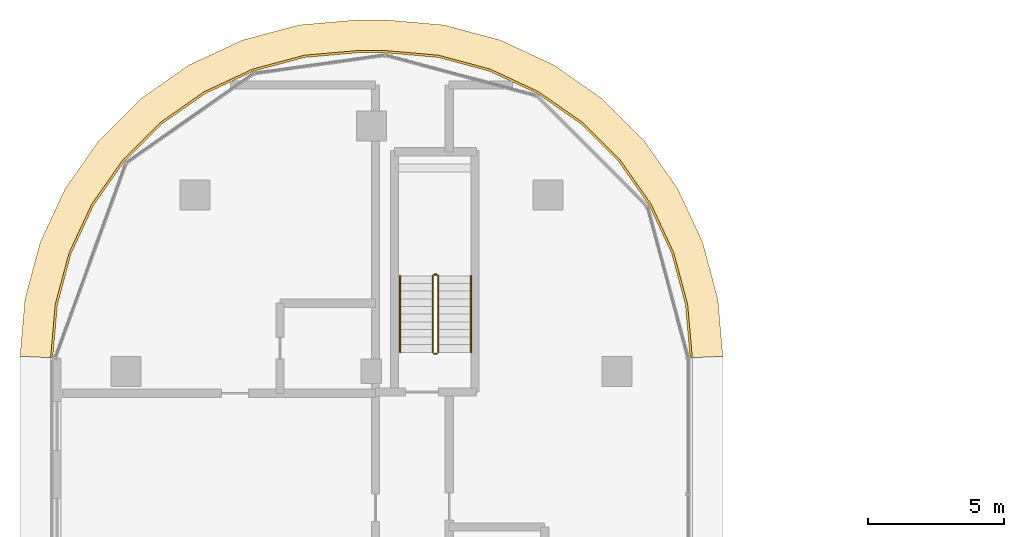
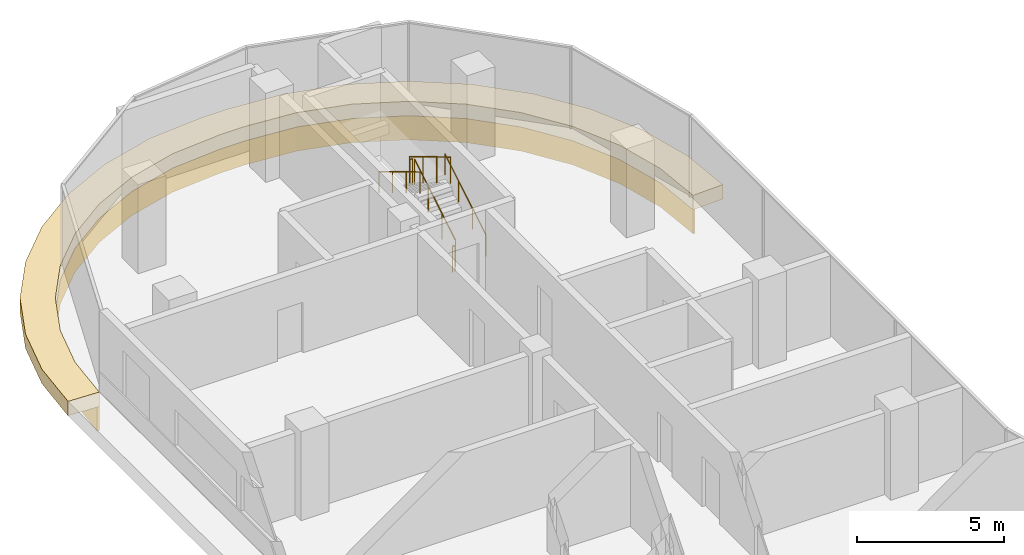
# One storey, part 22 of 23: 6 railings, 2 coverings.
"""IFC4 building model written with IfcOpenShell, lengths in metres."""

from ifc_helpers import new_model, si_unit, direction, frame, origin, origin_2d, place, context, subcontext, project, spatial, polyline, circle, outline, extrude, material, layer, layer_set, type_object, element, save


model = new_model("IFC4")

# Units and contexts
model_context = context("Model", 3, precision=1e-05, world=origin(), true_north=direction((0.0, 1.0)))
body_context = subcontext(model_context, "Body", "Model", "MODEL_VIEW")
ifc_project = project(units=[si_unit("LENGTHUNIT", "METRE"), si_unit("AREAUNIT", "SQUARE_METRE"), si_unit("VOLUMEUNIT", "CUBIC_METRE"), si_unit("PLANEANGLEUNIT", "RADIAN"), si_unit("MASSUNIT", "GRAM", prefix="KILO")], contexts=[model_context])

# Site, building, storey
site_placement = place(None, origin())
site = spatial("IfcSite", under=ifc_project, at=site_placement, CompositionType="ELEMENT")
building_placement = place(site_placement, origin())
building = spatial("IfcBuilding", under=site, at=building_placement, Name="Ogive Portal Towers", CompositionType="ELEMENT")
storey_placement = place(building_placement, frame((0.0, 0.0, 179.199951171875)))
storey = spatial("IfcBuildingStorey", under=building, at=storey_placement, Name="L44", CompositionType="ELEMENT", Elevation=179.199951171875)

# Railings
ifc_material_1 = material(Name="Stainless steel balustrade", Category="steel")
railing_type_1 = type_object("IfcRailingType", Name="INT-GUARD", PredefinedType="GUARDRAIL", material=ifc_material_1)
railing_1_placement = place(storey_placement, frame((42.949951171875, 67.199951171875, 0.168212890625)))
element("IfcRailing", 1, at=railing_1_placement, inside=storey, type_object=railing_type_1, Name="L44 ST-A3 stair guard 1", PredefinedType="GUARDRAIL", context=body_context, shape_type="SweptSolid", body=[
    extrude(circle(Radius=0.02392578125, at=origin_2d()), frame((0.0, 0.0, 1.076171875), z_axis=(0.0, 0.857242210791, 0.514913383045), x_axis=(-1.0, 0.0, 0.0)), (0.0, 0.0, 1.0), 3.266357421875),
    extrude(circle(Radius=0.02099609375, at=origin_2d()), origin(), (0.0, 0.0, 1.0), 1.052001953125),
    extrude(circle(Radius=0.02099609375, at=origin_2d()), frame((0.0, 0.933349609375, 0.560546875)), (0.0, 0.0, 1.0), 1.052001953125),
    extrude(circle(Radius=0.02099609375, at=origin_2d()), frame((0.0, 1.86669921875, 1.121337890625)), (0.0, 0.0, 1.0), 1.052001953125),
    extrude(circle(Radius=0.02099609375, at=origin_2d()), frame((0.0, 2.800048828125, 1.681884765625)), (0.0, 0.0, 1.0), 1.052001953125),
])
railing_2_placement = place(storey_placement, frame((42.89990234375, 70.050048828125, 1.85009765625)))
element("IfcRailing", 2, at=railing_2_placement, inside=storey, type_object=railing_type_1, Name="L44 ST-A3 stair guard 2", PredefinedType="GUARDRAIL", context=body_context, shape_type="SweptSolid", body=[
    extrude(circle(Radius=0.02392578125, at=origin_2d()), frame((0.0, 0.0, 1.076171875), z_axis=(-1.0, 0.0, 0.0), x_axis=(0.0, -1.0, 0.0)), (0.0, 0.0, 1.0), 0.099853515625),
    extrude(circle(Radius=0.02099609375, at=origin_2d()), origin(), (0.0, 0.0, 1.0), 1.052001953125),
    extrude(circle(Radius=0.02099609375, at=origin_2d()), frame((-0.099853515625, 0.0, 0.0)), (0.0, 0.0, 1.0), 1.052001953125),
])
railing_3_placement = place(storey_placement, frame((42.75, 70.0, 2.018310546875)))
element("IfcRailing", 3, at=railing_3_placement, inside=storey, type_object=railing_type_1, Name="L44 ST-A3 stair guard 3", PredefinedType="GUARDRAIL", context=body_context, shape_type="SweptSolid", body=[
    extrude(circle(Radius=0.02392578125, at=origin_2d()), frame((0.0, 0.0, 1.076171875), z_axis=(0.0, -0.857275202839, 0.514858452973), x_axis=(1.0, 0.0, 0.0)), (0.0, 0.0, 1.0), 3.26611328125),
    extrude(circle(Radius=0.02099609375, at=origin_2d()), origin(), (0.0, 0.0, 1.0), 1.052001953125),
    extrude(circle(Radius=0.02099609375, at=origin_2d()), frame((0.0, -0.933349609375, 0.560546875)), (0.0, 0.0, 1.0), 1.052001953125),
    extrude(circle(Radius=0.02099609375, at=origin_2d()), frame((0.0, -1.86669921875, 1.12109375)), (0.0, 0.0, 1.0), 1.052001953125),
    extrude(circle(Radius=0.02099609375, at=origin_2d()), frame((0.0, -2.800048828125, 1.681640625)), (0.0, 0.0, 1.0), 1.052001953125),
])
railing_4_placement = place(storey_placement, frame((42.89990234375, 67.14990234375, 0.0)))
element("IfcRailing", 4, at=railing_4_placement, inside=storey, type_object=railing_type_1, Name="L44 ST-A3 stair guard 4", PredefinedType="GUARDRAIL", context=body_context, shape_type="SweptSolid", body=[
    extrude(circle(Radius=0.02392578125, at=origin_2d()), frame((0.0, 0.0, 1.076171875), z_axis=(-1.0, 0.0, 0.0), x_axis=(0.0, -1.0, 0.0)), (0.0, 0.0, 1.0), 0.099853515625),
    extrude(circle(Radius=0.02099609375, at=origin_2d()), origin(), (0.0, 0.0, 1.0), 1.052001953125),
    extrude(circle(Radius=0.02099609375, at=origin_2d()), frame((-0.099853515625, 0.0, 0.0)), (0.0, 0.0, 1.0), 1.052001953125),
])
ifc_material_2 = material(Name="Stainless steel handrail", Category="steel")
railing_type_2 = type_object("IfcRailingType", Name="INT-HANDRAIL", PredefinedType="HANDRAIL", material=ifc_material_2)
railing_5_placement = place(storey_placement, frame((44.14990234375, 67.199951171875, 0.168212890625)))
element("IfcRailing", 5, at=railing_5_placement, inside=storey, type_object=railing_type_2, Name="L44 ST-A3 stair handrail 1", PredefinedType="HANDRAIL", context=body_context, shape_type="SweptSolid", body=[
    extrude(circle(Radius=0.02392578125, at=origin_2d()), frame((0.0, 0.0, 0.8759765625), z_axis=(0.0, 0.857242210791, 0.514913383045), x_axis=(-1.0, 0.0, 0.0)), (0.0, 0.0, 1.0), 3.266357421875),
    extrude(circle(Radius=0.02099609375, at=origin_2d()), origin(), (0.0, 0.0, 1.0), 0.851806640625),
    extrude(circle(Radius=0.02099609375, at=origin_2d()), frame((0.0, 0.933349609375, 0.560546875)), (0.0, 0.0, 1.0), 0.851806640625),
    extrude(circle(Radius=0.02099609375, at=origin_2d()), frame((0.0, 1.86669921875, 1.121337890625)), (0.0, 0.0, 1.0), 0.851806640625),
    extrude(circle(Radius=0.02099609375, at=origin_2d()), frame((0.0, 2.800048828125, 1.681884765625)), (0.0, 0.0, 1.0), 0.851806640625),
])
railing_6_placement = place(storey_placement, frame((41.550048828125, 70.0, 2.018310546875)))
element("IfcRailing", 6, at=railing_6_placement, inside=storey, type_object=railing_type_2, Name="L44 ST-A3 stair handrail 2", PredefinedType="HANDRAIL", context=body_context, shape_type="SweptSolid", body=[
    extrude(circle(Radius=0.02392578125, at=origin_2d()), frame((0.0, 0.0, 0.8759765625), z_axis=(0.0, -0.857275202839, 0.514858452973), x_axis=(1.0, 0.0, 0.0)), (0.0, 0.0, 1.0), 3.26611328125),
    extrude(circle(Radius=0.02099609375, at=origin_2d()), origin(), (0.0, 0.0, 1.0), 0.851806640625),
    extrude(circle(Radius=0.02099609375, at=origin_2d()), frame((0.0, -0.933349609375, 0.560546875)), (0.0, 0.0, 1.0), 0.851806640625),
    extrude(circle(Radius=0.02099609375, at=origin_2d()), frame((0.0, -1.86669921875, 1.12109375)), (0.0, 0.0, 1.0), 0.851806640625),
    extrude(circle(Radius=0.02099609375, at=origin_2d()), frame((0.0, -2.800048828125, 1.681640625)), (0.0, 0.0, 1.0), 0.851806640625),
])

# Coverings
ifc_material_3 = material(Name="Limestone cladding on lightweight block wall", Category="masonry")
ifc_layer_1 = layer(ifc_material_3, 0.080078125)
ifc_layer_set_1 = layer_set([ifc_layer_1], Name="STONE SPANDREL 80")
covering_type_1 = type_object("IfcCoveringType", Name="STONE SPANDREL 80", PredefinedType="CLADDING", material=ifc_layer_set_1)
covering_1_placement = place(storey_placement, frame((0.0, 0.0, -1.599853515625)))
element("IfcCovering", 7, at=covering_1_placement, inside=storey, type_object=covering_type_1, Name="Stone spandrel A1-F10", PredefinedType="CLADDING", context=body_context, shape_type="SweptSolid", body=[
    extrude(outline(polyline([(52.179931640625, 67.0), (52.01025390625, 68.94140625), (51.505859375, 70.82373046875), (50.68212890625, 72.590087890625), (49.564453125, 74.186279296875), (48.186279296875, 75.564453125), (46.590087890625, 76.68212890625), (44.82373046875, 77.505859375), (42.94140625, 78.01025390625), (41.0, 78.179931640625), (40.0, 78.179931640625), (38.05859375, 78.01025390625), (36.17626953125, 77.505859375), (34.409912109375, 76.68212890625), (32.813720703125, 75.564453125), (31.435546875, 74.186279296875), (30.31787109375, 72.590087890625), (29.494140625, 70.82373046875), (28.98974609375, 68.94140625), (28.820068359375, 67.0), (28.739990234375, 67.00341796875), (28.91064453125, 68.955322265625), (29.418701171875, 70.851318359375), (30.248291015625, 72.630126953125), (31.3740234375, 74.238037109375), (32.761962890625, 75.6259765625), (34.369873046875, 76.751708984375), (36.148681640625, 77.581298828125), (38.044677734375, 78.08935546875), (39.99658203125, 78.260009765625), (41.00341796875, 78.260009765625), (42.955322265625, 78.08935546875), (44.851318359375, 77.581298828125), (46.630126953125, 76.751708984375), (48.238037109375, 75.6259765625), (49.6259765625, 74.238037109375), (50.751708984375, 72.630126953125), (51.581298828125, 70.851318359375), (52.08935546875, 68.955322265625), (52.260009765625, 67.00341796875), (52.179931640625, 67.0)])), origin(), (0.0, 0.0, 1.0), 1.0),
])
ifc_layer_2 = layer(ifc_material_3, 0.60009765625)
ifc_layer_set_2 = layer_set([ifc_layer_2], Name="SUNSHADE LIP 600")
covering_type_2 = type_object("IfcCoveringType", Name="SUNSHADE LIP 600", PredefinedType="CLADDING", material=ifc_layer_set_2)
covering_2_placement = place(storey_placement, frame((0.0, 0.0, -0.599853515625)))
element("IfcCovering", 8, at=covering_2_placement, inside=storey, type_object=covering_type_2, Name="Sunshade lip A1-F10", PredefinedType="CLADDING", context=body_context, shape_type="SweptSolid", body=[
    extrude(outline(polyline([(52.179931640625, 67.0), (52.01025390625, 68.94140625), (51.505859375, 70.82373046875), (50.68212890625, 72.590087890625), (49.564453125, 74.186279296875), (48.186279296875, 75.564453125), (46.590087890625, 76.68212890625), (44.82373046875, 77.505859375), (42.94140625, 78.01025390625), (41.0, 78.179931640625), (40.0, 78.179931640625), (38.05859375, 78.01025390625), (36.17626953125, 77.505859375), (34.409912109375, 76.68212890625), (32.813720703125, 75.564453125), (31.435546875, 74.186279296875), (30.31787109375, 72.590087890625), (29.494140625, 70.82373046875), (28.98974609375, 68.94140625), (28.820068359375, 67.0), (27.6201171875, 67.052490234375), (27.803466796875, 69.150634765625), (28.3623046875, 71.23583984375), (29.274658203125, 73.1923828125), (30.512939453125, 74.960693359375), (32.039306640625, 76.487060546875), (33.8076171875, 77.725341796875), (35.76416015625, 78.6376953125), (37.849365234375, 79.196533203125), (39.947509765625, 79.3798828125), (41.052490234375, 79.3798828125), (43.150634765625, 79.196533203125), (45.23583984375, 78.6376953125), (47.1923828125, 77.725341796875), (48.960693359375, 76.487060546875), (50.487060546875, 74.960693359375), (51.725341796875, 73.1923828125), (52.6376953125, 71.23583984375), (53.196533203125, 69.150634765625), (53.3798828125, 67.052490234375), (52.179931640625, 67.0)])), origin(), (0.0, 0.0, 1.0), 0.599853515625),
])

save(model, "model.ifc")
